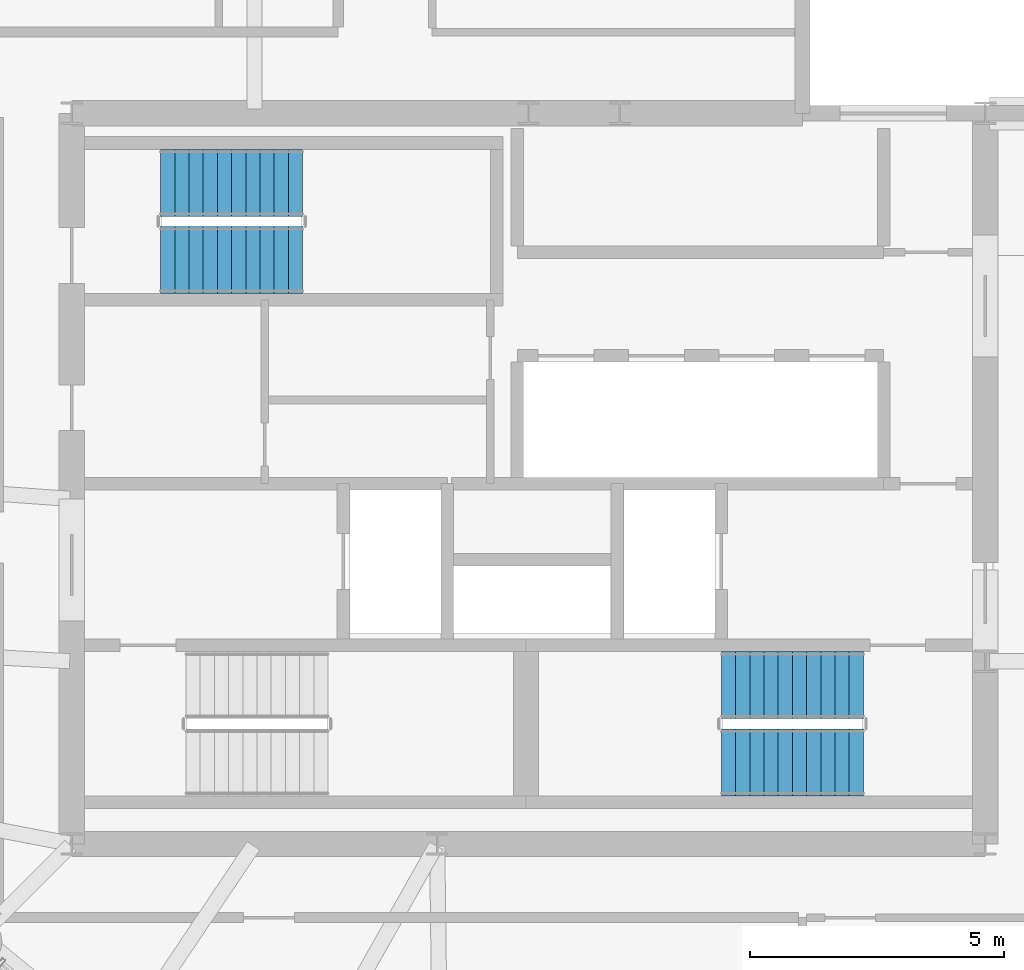
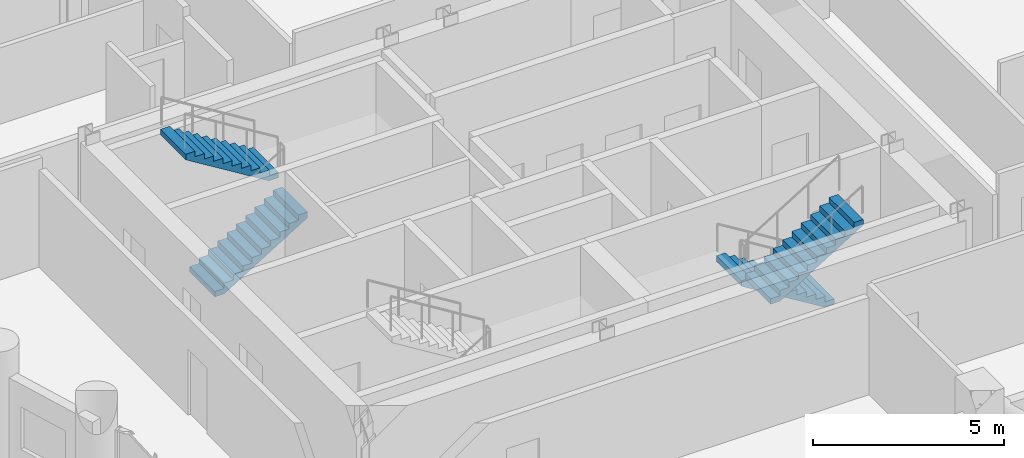
# One storey, part 12 of 13: 4 stair flights, 2 elements without a shape of their own.
"""IFC4 building model written with IfcOpenShell, lengths in metres."""

from ifc_helpers import new_model, si_unit, direction, frame, origin, place, context, subcontext, project, spatial, polyline, outline, extrude, material, type_object, element, aggregate, save


model = new_model("IFC4")

# Units and contexts
model_context = context("Model", 3, precision=1e-05, world=origin(), true_north=direction((0.0, 1.0)))
body_context = subcontext(model_context, "Body", "Model", "MODEL_VIEW")
ifc_project = project(units=[si_unit("LENGTHUNIT", "METRE"), si_unit("AREAUNIT", "SQUARE_METRE"), si_unit("VOLUMEUNIT", "CUBIC_METRE"), si_unit("PLANEANGLEUNIT", "RADIAN"), si_unit("MASSUNIT", "GRAM", prefix="KILO")], contexts=[model_context])

# Site, building, storey
site_placement = place(None, origin())
site = spatial("IfcSite", under=ifc_project, at=site_placement, CompositionType="ELEMENT")
building_placement = place(site_placement, origin())
building = spatial("IfcBuilding", under=site, at=building_placement, Name="Solnavia Interchange Tower", CompositionType="ELEMENT")
storey_placement = place(building_placement, frame((0.0, 0.0, 123.800048828125)))
storey = spatial("IfcBuildingStorey", under=building, at=storey_placement, Name="L30", CompositionType="ELEMENT", Elevation=123.800048828125)

# Stair, stair flights
ifc_material = material(Name="Concrete C40/50", Category="concrete")
stair_type = type_object("IfcStairType", Name="Stair-Dogleg-RC", PredefinedType="HALF_TURN_STAIR", material=ifc_material)
stair_1_placement = place(storey_placement, origin())
stair_1 = element("IfcStair", 1, at=stair_1_placement, inside=storey, type_object=stair_type, Name="L30 Core exit stair 2", PredefinedType="HALF_TURN_STAIR")
stair_flight_type = type_object("IfcStairFlightType", Name="StairFlight-RC-150", PredefinedType="STRAIGHT", material=ifc_material)
stair_flight_1_placement = place(storey_placement, frame((30.0, 13.929931640625, 0.0), z_axis=(0.0, 0.0, 1.0), x_axis=(-1.0, 0.0, 0.0)))
stair_flight_1 = element("IfcStairFlight", 2, at=stair_flight_1_placement, type_object=stair_flight_type, Name="ST-2 flight 1", NumberOfRisers=11, NumberOfTreads=10, PredefinedType="STRAIGHT", RiserHeight=0.172727273, TreadLength=0.28, context=body_context, shape_type="SweptSolid", body=[
    extrude(outline(polyline([(0.0, 0.0), (0.0, 0.172607421875), (0.280029296875, 0.172607421875), (0.280029296875, 0.345458984375), (0.56005859375, 0.345458984375), (0.56005859375, 0.51806640625), (0.840087890625, 0.51806640625), (0.840087890625, 0.69091796875), (1.1201171875, 0.69091796875), (1.1201171875, 0.863525390625), (1.39990234375, 0.863525390625), (1.39990234375, 1.036376953125), (1.679931640625, 1.036376953125), (1.679931640625, 1.208984375), (1.9599609375, 1.208984375), (1.9599609375, 1.3818359375), (2.239990234375, 1.3818359375), (2.239990234375, 1.554443359375), (2.52001953125, 1.554443359375), (2.52001953125, 1.727294921875), (2.800048828125, 1.727294921875), (2.800048828125, 1.89990234375), (2.800048828125, 1.551025390625), (0.285400390625, 0.0), (0.0, 0.0)])), frame((0.0, 0.66015625, 0.0), z_axis=(0.0, -1.0, 0.0), x_axis=(1.0, 0.0, 0.0)), (0.0, 0.0, 1.0), 1.320068359375),
])
stair_flight_2_placement = place(storey_placement, frame((27.199951171875, 12.409912109375, 1.89990234375), z_axis=(0.0, 0.0, 1.0), x_axis=(1.0, 0.0, 0.0)))
stair_flight_2 = element("IfcStairFlight", 3, at=stair_flight_2_placement, type_object=stair_flight_type, Name="ST-2 flight 2", NumberOfRisers=11, NumberOfTreads=10, PredefinedType="STRAIGHT", RiserHeight=0.172727273, TreadLength=0.28, context=body_context, shape_type="SweptSolid", body=[
    extrude(outline(polyline([(0.0, 0.0), (0.0, 0.172607421875), (0.280029296875, 0.172607421875), (0.280029296875, 0.345458984375), (0.56005859375, 0.345458984375), (0.56005859375, 0.51806640625), (0.840087890625, 0.51806640625), (0.840087890625, 0.69091796875), (1.1201171875, 0.69091796875), (1.1201171875, 0.863525390625), (1.39990234375, 0.863525390625), (1.39990234375, 1.036376953125), (1.679931640625, 1.036376953125), (1.679931640625, 1.208984375), (1.9599609375, 1.208984375), (1.9599609375, 1.3818359375), (2.239990234375, 1.3818359375), (2.239990234375, 1.554443359375), (2.52001953125, 1.554443359375), (2.52001953125, 1.727294921875), (2.800048828125, 1.727294921875), (2.800048828125, 1.89990234375), (2.800048828125, 1.551025390625), (0.285400390625, 0.0), (0.0, 0.0)])), frame((0.0, 0.66015625, 0.0), z_axis=(0.0, -1.0, 0.0), x_axis=(1.0, 0.0, 0.0)), (0.0, 0.0, 1.0), 1.320068359375),
])
aggregate(stair_1, [stair_flight_1, stair_flight_2])

stair_2_placement = place(storey_placement, origin())
stair_2 = element("IfcStair", 4, at=stair_2_placement, inside=storey, type_object=stair_type, Name="L30 Core exit stair 3", PredefinedType="HALF_TURN_STAIR")
stair_flight_3_placement = place(storey_placement, frame((16.14990234375, 22.31005859375, 0.0), z_axis=(0.0, 0.0, 1.0), x_axis=(1.0, 0.0, 0.0)))
stair_flight_3 = element("IfcStairFlight", 5, at=stair_flight_3_placement, type_object=stair_flight_type, Name="ST-3 flight 1", NumberOfRisers=11, NumberOfTreads=10, PredefinedType="STRAIGHT", RiserHeight=0.172727273, TreadLength=0.28, context=body_context, shape_type="SweptSolid", body=[
    extrude(outline(polyline([(0.0, 0.0), (0.0, 0.172607421875), (0.280029296875, 0.172607421875), (0.280029296875, 0.345458984375), (0.56005859375, 0.345458984375), (0.56005859375, 0.51806640625), (0.840087890625, 0.51806640625), (0.840087890625, 0.69091796875), (1.1201171875, 0.69091796875), (1.1201171875, 0.863525390625), (1.39990234375, 0.863525390625), (1.39990234375, 1.036376953125), (1.679931640625, 1.036376953125), (1.679931640625, 1.208984375), (1.9599609375, 1.208984375), (1.9599609375, 1.3818359375), (2.239990234375, 1.3818359375), (2.239990234375, 1.554443359375), (2.52001953125, 1.554443359375), (2.52001953125, 1.727294921875), (2.800048828125, 1.727294921875), (2.800048828125, 1.89990234375), (2.800048828125, 1.551025390625), (0.285400390625, 0.0), (0.0, 0.0)])), frame((0.0, 0.66015625, 0.0), z_axis=(0.0, -1.0, 0.0), x_axis=(1.0, 0.0, 0.0)), (0.0, 0.0, 1.0), 1.320068359375),
])
stair_flight_4_placement = place(storey_placement, frame((18.949951171875, 23.830078125, 1.89990234375), z_axis=(0.0, 0.0, 1.0), x_axis=(-1.0, 0.0, 0.0)))
stair_flight_4 = element("IfcStairFlight", 6, at=stair_flight_4_placement, type_object=stair_flight_type, Name="ST-3 flight 2", NumberOfRisers=11, NumberOfTreads=10, PredefinedType="STRAIGHT", RiserHeight=0.172727273, TreadLength=0.28, context=body_context, shape_type="SweptSolid", body=[
    extrude(outline(polyline([(0.0, 0.0), (0.0, 0.172607421875), (0.280029296875, 0.172607421875), (0.280029296875, 0.345458984375), (0.56005859375, 0.345458984375), (0.56005859375, 0.51806640625), (0.840087890625, 0.51806640625), (0.840087890625, 0.69091796875), (1.1201171875, 0.69091796875), (1.1201171875, 0.863525390625), (1.39990234375, 0.863525390625), (1.39990234375, 1.036376953125), (1.679931640625, 1.036376953125), (1.679931640625, 1.208984375), (1.9599609375, 1.208984375), (1.9599609375, 1.3818359375), (2.239990234375, 1.3818359375), (2.239990234375, 1.554443359375), (2.52001953125, 1.554443359375), (2.52001953125, 1.727294921875), (2.800048828125, 1.727294921875), (2.800048828125, 1.89990234375), (2.800048828125, 1.551025390625), (0.285400390625, 0.0), (0.0, 0.0)])), frame((0.0, 0.66015625, 0.0), z_axis=(0.0, -1.0, 0.0), x_axis=(1.0, 0.0, 0.0)), (0.0, 0.0, 1.0), 1.320068359375),
])
aggregate(stair_2, [stair_flight_3, stair_flight_4])

save(model, "model.ifc")
